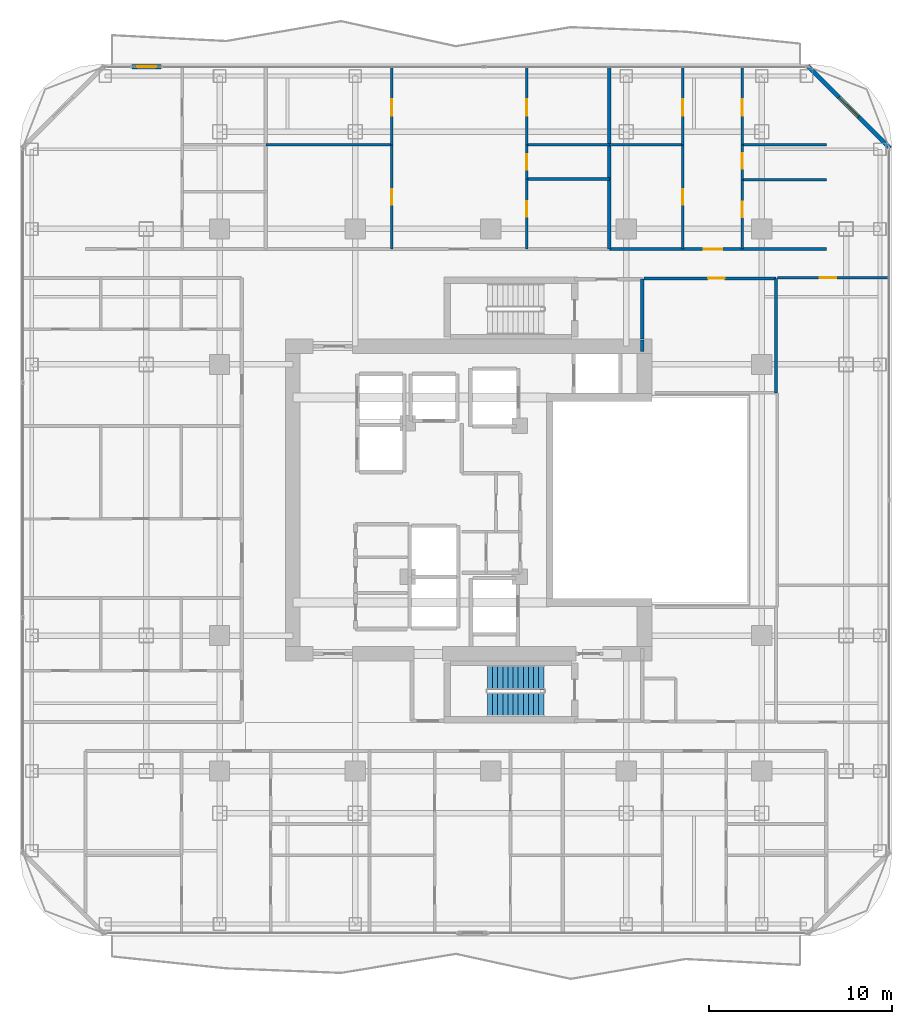
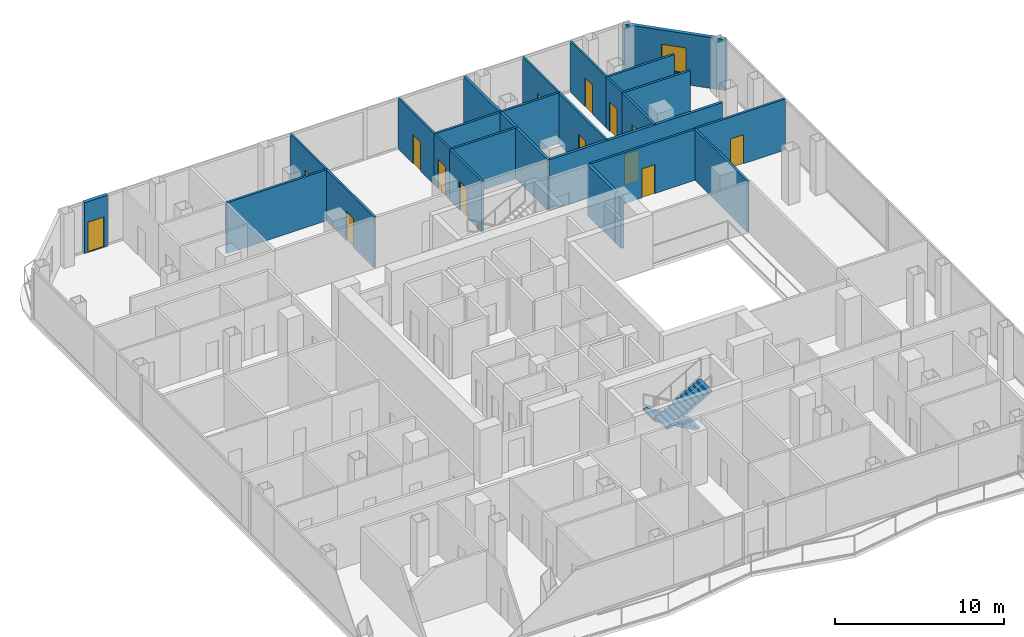
# One storey, part 23 of 27: 25 walls, 14 doors, 2 stair flights, 1 window, 15 openings, 1 element without a shape of its own.
"""IFC4 building model written with IfcOpenShell, lengths in metres."""

from ifc_helpers import new_model, si_unit, direction, frame, frame_2d, origin, place, context, subcontext, project, spatial, polyline, rectangle, outline, extrude, material, layer, layer_set, type_object, element, fill, aggregate, save


model = new_model("IFC4")

# Units and contexts
model_context = context("Model", 3, precision=1e-05, world=origin(), true_north=direction((0.0, 1.0)))
body_context = subcontext(model_context, "Body", "Model", "MODEL_VIEW")
ifc_project = project(units=[si_unit("LENGTHUNIT", "METRE"), si_unit("AREAUNIT", "SQUARE_METRE"), si_unit("VOLUMEUNIT", "CUBIC_METRE"), si_unit("PLANEANGLEUNIT", "RADIAN"), si_unit("MASSUNIT", "GRAM", prefix="KILO")], contexts=[model_context])

# Site, building, storey
site_placement = place(None, origin())
site = spatial("IfcSite", under=ifc_project, at=site_placement, CompositionType="ELEMENT")
building_placement = place(site_placement, origin())
building = spatial("IfcBuilding", under=site, at=building_placement, Name="Khorvyn Point Tower", CompositionType="ELEMENT")
storey_placement = place(building_placement, frame((0.0, 0.0, 179.699951171875)))
storey = spatial("IfcBuildingStorey", under=building, at=storey_placement, Name="L44", CompositionType="ELEMENT", Elevation=179.699951171875)

# Wall, opening, door
ifc_material_1 = material(Name="Double acoustic gypsum on twin steel stud", Category="steel")
ifc_layer_1 = layer(ifc_material_1, 0.179931640625)
ifc_layer_set_1 = layer_set([ifc_layer_1], Name="Acoustic Double-Stud Apartment Demising Wall 180")
wall_type_1 = type_object("IfcWallType", Name="Acoustic Double-Stud Apartment Demising Wall 180", PredefinedType="PARTITIONING", material=ifc_layer_set_1)
wall_1_placement = place(storey_placement, frame((6.47802734375, 13.699951171875, 0.0), z_axis=(0.0, 0.0, 1.0), x_axis=(1.0, 0.0, 0.0)))
wall_1 = element("IfcWall", 1, at=wall_1_placement, inside=storey, type_object=wall_type_1, Name="Wall", PredefinedType="PARTITIONING", context=body_context, shape_type="SweptSolid", body=[
    extrude(rectangle(XDim=11.842041015625, YDim=0.179931640625, at=frame_2d((5.9208984375, 0.0))), origin(), (0.0, 0.0, 1.0), 3.679931640625),
])
opening_1_placement = place(wall_1_placement, frame((5.153564453125, 0.0, 0.0)))
opening_1 = element("IfcOpeningElement", 2, at=opening_1_placement, cuts=wall_1, Name="Opening ID-AP60", PredefinedType="OPENING", context=body_context, shape_type="SweptSolid", body=[
    extrude(rectangle(XDim=1.0, YDim=2.199951171875, at=frame_2d((0.5, 1.10009765625))), frame((0.0, 0.099853515625, 0.0), z_axis=(0.0, -1.0, 0.0), x_axis=(1.0, 0.0, 0.0)), (0.0, 0.0, 1.0), 0.199951171875),
])
ifc_material_2 = material(Name="Engineered hardwood fire-rated leaf", Category="wood")
door_type_1 = type_object("IfcDoorType", Name="Acoustic Solid-Core Timber Apartment Entrance Door 1000x2200", OperationType="NOTDEFINED", PredefinedType="DOOR", material=ifc_material_2)
door_1_placement = place(opening_1_placement, origin())
door_1 = element("IfcDoor", 3, at=door_1_placement, inside=storey, type_object=door_type_1, Name="Door", OperationType="SINGLE_SWING_RIGHT", OverallHeight=2.199951171875, OverallWidth=1.0, PredefinedType="DOOR", context=body_context, shape_type="SweptSolid", body=[
    extrude(rectangle(XDim=1.0, YDim=2.199951171875, at=frame_2d((0.5, 1.10009765625))), frame((0.0, 0.02490234375, 0.0), z_axis=(0.0, -1.0, 0.0), x_axis=(1.0, 0.0, 0.0)), (0.0, 0.0, 1.0), 0.050048828125),
])
fill(opening_1, door_1)

# Wall
wall_2_placement = place(storey_placement, frame((6.47802734375, 13.699951171875, 0.0), z_axis=(0.0, 0.0, 1.0), x_axis=(0.0, 1.0, 0.0)))
element("IfcWall", 4, at=wall_2_placement, inside=storey, type_object=wall_type_1, Name="Wall", PredefinedType="PARTITIONING", context=body_context, shape_type="SweptSolid", body=[
    extrude(rectangle(XDim=9.929931640625, YDim=0.179931640625, at=frame_2d((4.96484375, 0.0))), origin(), (0.0, 0.0, 1.0), 3.679931640625),
])

# Wall, opening, door
ifc_material_3 = material(Name="Pale anodised aluminium rainscreen on steel stud", Category="steel")
ifc_layer_2 = layer(ifc_material_3, 0.239990234375)
ifc_layer_set_2 = layer_set([ifc_layer_2], Name="Anodised Aluminium Insulated Corner Spandrel Wall 240")
wall_type_2 = type_object("IfcWallType", Name="Anodised Aluminium Insulated Corner Spandrel Wall 240", PredefinedType="SOLIDWALL", material=ifc_layer_set_2)
wall_3_placement = place(storey_placement, frame((-19.577880859375, 23.64990234375, 0.0), z_axis=(0.0, 0.0, 1.0), x_axis=(1.0, 0.0, 0.0)))
wall_3 = element("IfcWall", 5, at=wall_3_placement, inside=storey, type_object=wall_type_2, Name="L44 North Outdoor Threshold Wall", PredefinedType="SOLIDWALL", context=body_context, shape_type="SweptSolid", body=[
    extrude(rectangle(XDim=1.579833984375, YDim=0.239990234375, at=frame_2d((0.7900390625, 0.0))), origin(), (0.0, 0.0, 1.0), 3.679931640625),
])
opening_2_placement = place(wall_3_placement, frame((0.239990234375, 0.0, 0.0)))
opening_2 = element("IfcOpeningElement", 6, at=opening_2_placement, cuts=wall_3, Name="Opening BD-1122", PredefinedType="OPENING", context=body_context, shape_type="SweptSolid", body=[
    extrude(rectangle(XDim=1.10009765625, YDim=2.199951171875, at=frame_2d((0.550048828125, 1.10009765625))), frame((0.0, 0.1298828125, 0.0), z_axis=(0.0, -1.0, 0.0), x_axis=(1.0, 0.0, 0.0)), (0.0, 0.0, 1.0), 0.260009765625),
])
ifc_material_4 = material(Name="Anodised aluminium 6063-T6 and laminated Low-E glass", Category="aluminium")
door_type_2 = type_object("IfcDoorType", Name="Glazed Balcony and Terrace Threshold Door 1100x2200", OperationType="NOTDEFINED", PredefinedType="DOOR", material=ifc_material_4)
door_2_placement = place(opening_2_placement, origin())
door_2 = element("IfcDoor", 7, at=door_2_placement, inside=storey, type_object=door_type_2, Name="L44 North Glazed Balcony Outdoor Door", OperationType="SINGLE_SWING_RIGHT", OverallHeight=2.199951171875, OverallWidth=1.10009765625, PredefinedType="DOOR", context=body_context, shape_type="SweptSolid", body=[
    extrude(rectangle(XDim=1.10009765625, YDim=2.199951171875, at=frame_2d((0.550048828125, 1.10009765625))), frame((0.0, 0.02490234375, 0.0), z_axis=(0.0, -1.0, 0.0), x_axis=(1.0, 0.0, 0.0)), (0.0, 0.0, 1.0), 0.050048828125),
])
fill(opening_2, door_2)

# Wall, opening, window
wall_4_placement = place(storey_placement, frame((17.3076171875, 23.6923828125, 0.0), z_axis=(0.0, 0.0, 1.0), x_axis=(0.707106781187, -0.707106781187, 0.0)))
wall_4 = element("IfcWall", 8, at=wall_4_placement, inside=storey, type_object=wall_type_2, Name="L44 Rounded Corner Wall NE", PredefinedType="SOLIDWALL", context=body_context, shape_type="SweptSolid", body=[
    extrude(rectangle(XDim=6.342529296875, YDim=0.239990234375, at=frame_2d((3.17138671875, 0.0))), origin(), (0.0, 0.0, 1.0), 3.679931640625),
])
opening_3_placement = place(wall_4_placement, frame((2.42138671875, 0.0, 0.800048828125)))
opening_3 = element("IfcOpeningElement", 9, at=opening_3_placement, cuts=wall_4, Name="Opening WN-1518", PredefinedType="OPENING", context=body_context, shape_type="SweptSolid", body=[
    extrude(rectangle(XDim=1.5, YDim=1.85009765625, at=frame_2d((0.75, 0.925048828125))), frame((0.0, 0.1298828125, 0.0), z_axis=(0.0, -1.0, 0.0), x_axis=(1.0, 0.0, 0.0)), (0.0, 0.0, 1.0), 0.260009765625),
])
window_type = type_object("IfcWindowType", Name="Anodised Aluminium Rounded-Corner Panoramic Window 1500x1850", PartitioningType="SINGLE_PANEL", PredefinedType="WINDOW", material=ifc_material_4)
window_placement = place(opening_3_placement, origin())
window = element("IfcWindow", 10, at=window_placement, inside=storey, type_object=window_type, Name="L44 Corner Panoramic Window NE", OverallHeight=1.85009765625, OverallWidth=1.5, PartitioningType="SINGLE_PANEL", PredefinedType="WINDOW", context=body_context, shape_type="SweptSolid", body=[
    extrude(rectangle(XDim=1.5, YDim=1.85009765625, at=frame_2d((0.75, 0.925048828125))), frame((0.0, 0.030029296875, 0.0), z_axis=(0.0, -1.0, 0.0), x_axis=(1.0, 0.0, 0.0)), (0.0, 0.0, 1.0), 0.06005859375),
])
fill(opening_3, window)

# Walls
ifc_material_5 = material(Name="Concrete C40/50", Category="concrete")
ifc_layer_3 = layer(ifc_material_5, 0.199951171875)
ifc_layer_set_3 = layer_set([ifc_layer_3], Name="Concrete C40/50 Fire-Lobby Compartment Wall 200")
wall_type_3 = type_object("IfcWallType", Name="Concrete C40/50 Fire-Lobby Compartment Wall 200", PredefinedType="SOLIDWALL", material=ifc_layer_set_3)
wall_5_placement = place(storey_placement, frame((8.280029296875, 8.800048828125, 0.0), z_axis=(0.0, 0.0, 1.0), x_axis=(0.0, 1.0, 0.0)))
element("IfcWall", 11, at=wall_5_placement, inside=storey, type_object=wall_type_3, Name="Wall", PredefinedType="SOLIDWALL", context=body_context, shape_type="SweptSolid", body=[
    extrude(rectangle(XDim=3.260009765625, YDim=0.199951171875, at=frame_2d((1.6298828125, 0.0))), origin(), (0.0, 0.0, 1.0), 3.679931640625),
])
wall_6_placement = place(storey_placement, frame((8.280029296875, 8.10009765625, 0.0), z_axis=(0.0, 0.0, 1.0), x_axis=(0.0, 1.0, 0.0)))
element("IfcWall", 12, at=wall_6_placement, inside=storey, type_object=wall_type_3, Name="Wall", PredefinedType="SOLIDWALL", context=body_context, shape_type="SweptSolid", body=[
    extrude(rectangle(XDim=0.625, YDim=0.199951171875, at=frame_2d((0.3125, 0.0))), origin(), (0.0, 0.0, 1.0), 3.679931640625),
])

# Wall, opening, door
ifc_material_6 = material(Name="Gypsum plasterboard on steel stud", Category="steel")
ifc_layer_4 = layer(ifc_material_6, 0.1201171875)
ifc_layer_set_4 = layer_set([ifc_layer_4], Name="Gypsum Acoustic Stud Room Partition Wall 120")
wall_type_4 = type_object("IfcWallType", Name="Gypsum Acoustic Stud Room Partition Wall 120", PredefinedType="PARTITIONING", material=ifc_layer_set_4)
wall_7_placement = place(storey_placement, frame((-5.407958984375, 19.389892578125, 0.0), z_axis=(0.0, 0.0, 1.0), x_axis=(0.0, 1.0, 0.0)))
wall_7 = element("IfcWall", 13, at=wall_7_placement, inside=storey, type_object=wall_type_4, Name="Wall", PredefinedType="PARTITIONING", context=body_context, shape_type="SweptSolid", body=[
    extrude(rectangle(XDim=4.239990234375, YDim=0.1201171875, at=frame_2d((2.1201171875, 0.0))), origin(), (0.0, 0.0, 1.0), 3.679931640625),
])
opening_4_placement = place(wall_7_placement, frame((1.581298828125, 0.0, 0.0)))
opening_4 = element("IfcOpeningElement", 14, at=opening_4_placement, cuts=wall_7, Name="Opening ID-RM90", PredefinedType="OPENING", context=body_context, shape_type="SweptSolid", body=[
    extrude(rectangle(XDim=0.89990234375, YDim=2.10009765625, at=frame_2d((0.449951171875, 1.050048828125))), frame((0.0, 0.070068359375, 0.0), z_axis=(0.0, -1.0, 0.0), x_axis=(1.0, 0.0, 0.0)), (0.0, 0.0, 1.0), 0.14013671875),
])
ifc_material_7 = material(Name="Engineered oak veneer timber", Category="wood")
door_type_3 = type_object("IfcDoorType", Name="Flush Engineered Timber Room Door 900x2100", OperationType="NOTDEFINED", PredefinedType="DOOR", material=ifc_material_7)
door_3_placement = place(opening_4_placement, origin())
door_3 = element("IfcDoor", 15, at=door_3_placement, inside=storey, type_object=door_type_3, Name="Door", OperationType="SINGLE_SWING_RIGHT", OverallHeight=2.10009765625, OverallWidth=0.89990234375, PredefinedType="DOOR", context=body_context, shape_type="SweptSolid", body=[
    extrude(rectangle(XDim=0.89990234375, YDim=2.10009765625, at=frame_2d((0.449951171875, 1.050048828125))), frame((0.0, 0.02490234375, 0.0), z_axis=(0.0, -1.0, 0.0), x_axis=(1.0, 0.0, 0.0)), (0.0, 0.0, 1.0), 0.050048828125),
])
fill(opening_4, door_3)

wall_8_placement = place(storey_placement, frame((1.971923828125, 17.52392578125, 0.0), z_axis=(0.0, 0.0, 1.0), x_axis=(0.0, 1.0, 0.0)))
wall_8 = element("IfcWall", 16, at=wall_8_placement, inside=storey, type_object=wall_type_4, Name="Wall", PredefinedType="PARTITIONING", context=body_context, shape_type="SweptSolid", body=[
    extrude(rectangle(XDim=1.865966796875, YDim=0.1201171875, at=frame_2d((0.93310546875, 0.0))), origin(), (0.0, 0.0, 1.0), 3.679931640625),
])
opening_5_placement = place(wall_8_placement, frame((0.508056640625, 0.0, 0.0)))
opening_5 = element("IfcOpeningElement", 17, at=opening_5_placement, cuts=wall_8, Name="Opening ID-WC85", PredefinedType="OPENING", context=body_context, shape_type="SweptSolid", body=[
    extrude(rectangle(XDim=0.85009765625, YDim=2.10009765625, at=frame_2d((0.425048828125, 1.050048828125))), frame((0.0, 0.070068359375, 0.0), z_axis=(0.0, -1.0, 0.0), x_axis=(1.0, 0.0, 0.0)), (0.0, 0.0, 1.0), 0.14013671875),
])
ifc_material_8 = material(Name="High-pressure laminate on moisture-resistant core", Category="wood")
door_type_4 = type_object("IfcDoorType", Name="Moisture-Resistant Accessible Washroom Door 850x2100", OperationType="NOTDEFINED", PredefinedType="DOOR", material=ifc_material_8)
door_4_placement = place(opening_5_placement, origin())
door_4 = element("IfcDoor", 18, at=door_4_placement, inside=storey, type_object=door_type_4, Name="Door", OperationType="SINGLE_SWING_RIGHT", OverallHeight=2.10009765625, OverallWidth=0.85009765625, PredefinedType="DOOR", context=body_context, shape_type="SweptSolid", body=[
    extrude(rectangle(XDim=0.85009765625, YDim=2.10009765625, at=frame_2d((0.425048828125, 1.050048828125))), frame((0.0, 0.02490234375, 0.0), z_axis=(0.0, -1.0, 0.0), x_axis=(1.0, 0.0, 0.0)), (0.0, 0.0, 1.0), 0.050048828125),
])
fill(opening_5, door_4)

wall_9_placement = place(storey_placement, frame((1.971923828125, 19.389892578125, 0.0), z_axis=(0.0, 0.0, 1.0), x_axis=(0.0, 1.0, 0.0)))
wall_9 = element("IfcWall", 19, at=wall_9_placement, inside=storey, type_object=wall_type_4, Name="Wall", PredefinedType="PARTITIONING", context=body_context, shape_type="SweptSolid", body=[
    extrude(rectangle(XDim=4.239990234375, YDim=0.1201171875, at=frame_2d((2.1201171875, 0.0))), origin(), (0.0, 0.0, 1.0), 3.679931640625),
])
opening_6_placement = place(wall_9_placement, frame((1.581298828125, 0.0, 0.0)))
opening_6 = element("IfcOpeningElement", 20, at=opening_6_placement, cuts=wall_9, Name="Opening ID-RM90", PredefinedType="OPENING", context=body_context, shape_type="SweptSolid", body=[
    extrude(rectangle(XDim=0.89990234375, YDim=2.10009765625, at=frame_2d((0.449951171875, 1.050048828125))), frame((0.0, 0.070068359375, 0.0), z_axis=(0.0, -1.0, 0.0), x_axis=(1.0, 0.0, 0.0)), (0.0, 0.0, 1.0), 0.14013671875),
])
door_5_placement = place(opening_6_placement, origin())
door_5 = element("IfcDoor", 21, at=door_5_placement, inside=storey, type_object=door_type_3, Name="Door", OperationType="SINGLE_SWING_LEFT", OverallHeight=2.10009765625, OverallWidth=0.89990234375, PredefinedType="DOOR", context=body_context, shape_type="SweptSolid", body=[
    extrude(rectangle(XDim=0.89990234375, YDim=2.10009765625, at=frame_2d((0.449951171875, 1.050048828125))), frame((0.0, 0.02490234375, 0.0), z_axis=(0.0, -1.0, 0.0), x_axis=(1.0, 0.0, 0.0)), (0.0, 0.0, 1.0), 0.050048828125),
])
fill(opening_6, door_5)

wall_10_placement = place(storey_placement, frame((10.48095703125, 19.389892578125, 0.0), z_axis=(0.0, 0.0, 1.0), x_axis=(0.0, 1.0, 0.0)))
wall_10 = element("IfcWall", 22, at=wall_10_placement, inside=storey, type_object=wall_type_4, Name="Wall", PredefinedType="PARTITIONING", context=body_context, shape_type="SweptSolid", body=[
    extrude(rectangle(XDim=4.239990234375, YDim=0.1201171875, at=frame_2d((2.1201171875, 0.0))), origin(), (0.0, 0.0, 1.0), 3.679931640625),
])
opening_7_placement = place(wall_10_placement, frame((1.581298828125, 0.0, 0.0)))
opening_7 = element("IfcOpeningElement", 23, at=opening_7_placement, cuts=wall_10, Name="Opening ID-RM90", PredefinedType="OPENING", context=body_context, shape_type="SweptSolid", body=[
    extrude(rectangle(XDim=0.89990234375, YDim=2.10009765625, at=frame_2d((0.449951171875, 1.050048828125))), frame((0.0, 0.070068359375, 0.0), z_axis=(0.0, -1.0, 0.0), x_axis=(1.0, 0.0, 0.0)), (0.0, 0.0, 1.0), 0.14013671875),
])
door_6_placement = place(opening_7_placement, origin())
door_6 = element("IfcDoor", 24, at=door_6_placement, inside=storey, type_object=door_type_3, Name="Door", OperationType="SINGLE_SWING_RIGHT", OverallHeight=2.10009765625, OverallWidth=0.89990234375, PredefinedType="DOOR", context=body_context, shape_type="SweptSolid", body=[
    extrude(rectangle(XDim=0.89990234375, YDim=2.10009765625, at=frame_2d((0.449951171875, 1.050048828125))), frame((0.0, 0.02490234375, 0.0), z_axis=(0.0, -1.0, 0.0), x_axis=(1.0, 0.0, 0.0)), (0.0, 0.0, 1.0), 0.050048828125),
])
fill(opening_7, door_6)

wall_11_placement = place(storey_placement, frame((13.73095703125, 17.48388671875, 0.0), z_axis=(0.0, 0.0, 1.0), x_axis=(0.0, 1.0, 0.0)))
wall_11 = element("IfcWall", 25, at=wall_11_placement, inside=storey, type_object=wall_type_4, Name="Wall", PredefinedType="PARTITIONING", context=body_context, shape_type="SweptSolid", body=[
    extrude(rectangle(XDim=1.906005859375, YDim=0.1201171875, at=frame_2d((0.953125, 0.0))), origin(), (0.0, 0.0, 1.0), 3.679931640625),
])
opening_8_placement = place(wall_11_placement, frame((0.6015625, 0.0, 0.0)))
opening_8 = element("IfcOpeningElement", 26, at=opening_8_placement, cuts=wall_11, Name="Opening ID-WC85", PredefinedType="OPENING", context=body_context, shape_type="SweptSolid", body=[
    extrude(rectangle(XDim=0.85009765625, YDim=2.10009765625, at=frame_2d((0.425048828125, 1.050048828125))), frame((0.0, 0.070068359375, 0.0), z_axis=(0.0, -1.0, 0.0), x_axis=(1.0, 0.0, 0.0)), (0.0, 0.0, 1.0), 0.14013671875),
])
door_7_placement = place(opening_8_placement, origin())
door_7 = element("IfcDoor", 27, at=door_7_placement, inside=storey, type_object=door_type_4, Name="Door", OperationType="SINGLE_SWING_RIGHT", OverallHeight=2.10009765625, OverallWidth=0.85009765625, PredefinedType="DOOR", context=body_context, shape_type="SweptSolid", body=[
    extrude(rectangle(XDim=0.85009765625, YDim=2.10009765625, at=frame_2d((0.425048828125, 1.050048828125))), frame((0.0, 0.02490234375, 0.0), z_axis=(0.0, -1.0, 0.0), x_axis=(1.0, 0.0, 0.0)), (0.0, 0.0, 1.0), 0.050048828125),
])
fill(opening_8, door_7)

wall_12_placement = place(storey_placement, frame((13.73095703125, 19.389892578125, 0.0), z_axis=(0.0, 0.0, 1.0), x_axis=(0.0, 1.0, 0.0)))
wall_12 = element("IfcWall", 28, at=wall_12_placement, inside=storey, type_object=wall_type_4, Name="Wall", PredefinedType="PARTITIONING", context=body_context, shape_type="SweptSolid", body=[
    extrude(rectangle(XDim=4.239990234375, YDim=0.1201171875, at=frame_2d((2.1201171875, 0.0))), origin(), (0.0, 0.0, 1.0), 3.679931640625),
])
opening_9_placement = place(wall_12_placement, frame((1.581298828125, 0.0, 0.0)))
opening_9 = element("IfcOpeningElement", 29, at=opening_9_placement, cuts=wall_12, Name="Opening ID-RM90", PredefinedType="OPENING", context=body_context, shape_type="SweptSolid", body=[
    extrude(rectangle(XDim=0.89990234375, YDim=2.10009765625, at=frame_2d((0.449951171875, 1.050048828125))), frame((0.0, 0.070068359375, 0.0), z_axis=(0.0, -1.0, 0.0), x_axis=(1.0, 0.0, 0.0)), (0.0, 0.0, 1.0), 0.14013671875),
])
door_8_placement = place(opening_9_placement, origin())
door_8 = element("IfcDoor", 30, at=door_8_placement, inside=storey, type_object=door_type_3, Name="Door", OperationType="SINGLE_SWING_LEFT", OverallHeight=2.10009765625, OverallWidth=0.89990234375, PredefinedType="DOOR", context=body_context, shape_type="SweptSolid", body=[
    extrude(rectangle(XDim=0.89990234375, YDim=2.10009765625, at=frame_2d((0.449951171875, 1.050048828125))), frame((0.0, 0.02490234375, 0.0), z_axis=(0.0, -1.0, 0.0), x_axis=(1.0, 0.0, 0.0)), (0.0, 0.0, 1.0), 0.050048828125),
])
fill(opening_9, door_8)

ifc_material_9 = material(Name="Moisture-resistant gypsum and cement board", Category="gypsum")
ifc_layer_5 = layer(ifc_material_9, 0.14990234375)
ifc_layer_set_5 = layer_set([ifc_layer_5], Name="Moisture-Resistant Wet-Room Partition Wall 150")
wall_type_5 = type_object("IfcWallType", Name="Moisture-Resistant Wet-Room Partition Wall 150", PredefinedType="PARTITIONING", material=ifc_layer_set_5)
wall_13_placement = place(storey_placement, frame((8.360107421875, 12.10009765625, 0.0), z_axis=(0.0, 0.0, 1.0), x_axis=(1.0, 0.0, 0.0)))
wall_13 = element("IfcWall", 31, at=wall_13_placement, inside=storey, type_object=wall_type_5, Name="Wall", PredefinedType="PARTITIONING", context=body_context, shape_type="SweptSolid", body=[
    extrude(rectangle(XDim=7.219970703125, YDim=0.14990234375, at=frame_2d((3.60986328125, 0.0))), origin(), (0.0, 0.0, 1.0), 3.679931640625),
])
opening_10_placement = place(wall_13_placement, frame((3.512939453125, 0.0, 0.0)))
opening_10 = element("IfcOpeningElement", 32, at=opening_10_placement, cuts=wall_13, Name="Opening ID-RM90", PredefinedType="OPENING", context=body_context, shape_type="SweptSolid", body=[
    extrude(rectangle(XDim=0.89990234375, YDim=2.10009765625, at=frame_2d((0.449951171875, 1.050048828125))), frame((0.0, 0.0849609375, 0.0), z_axis=(0.0, -1.0, 0.0), x_axis=(1.0, 0.0, 0.0)), (0.0, 0.0, 1.0), 0.169921875),
])
door_9_placement = place(opening_10_placement, origin())
door_9 = element("IfcDoor", 33, at=door_9_placement, inside=storey, type_object=door_type_3, Name="Door", OperationType="SINGLE_SWING_LEFT", OverallHeight=2.10009765625, OverallWidth=0.89990234375, PredefinedType="DOOR", context=body_context, shape_type="SweptSolid", body=[
    extrude(rectangle(XDim=0.89990234375, YDim=2.10009765625, at=frame_2d((0.449951171875, 1.050048828125))), frame((0.0, 0.02490234375, 0.0), z_axis=(0.0, -1.0, 0.0), x_axis=(1.0, 0.0, 0.0)), (0.0, 0.0, 1.0), 0.050048828125),
])
fill(opening_10, door_9)

wall_14_placement = place(storey_placement, frame((-5.407958984375, 13.699951171875, 0.0), z_axis=(0.0, 0.0, 1.0), x_axis=(0.0, 1.0, 0.0)))
wall_14 = element("IfcWall", 34, at=wall_14_placement, inside=storey, type_object=wall_type_5, Name="Wall", PredefinedType="PARTITIONING", context=body_context, shape_type="SweptSolid", body=[
    extrude(rectangle(XDim=5.68994140625, YDim=0.14990234375, at=frame_2d((2.844970703125, 0.0))), origin(), (0.0, 0.0, 1.0), 3.679931640625),
])
opening_11_placement = place(wall_14_placement, frame((2.419921875, 0.0, 0.0)))
opening_11 = element("IfcOpeningElement", 35, at=opening_11_placement, cuts=wall_14, Name="Opening ID-WC85", PredefinedType="OPENING", context=body_context, shape_type="SweptSolid", body=[
    extrude(rectangle(XDim=0.85009765625, YDim=2.10009765625, at=frame_2d((0.425048828125, 1.050048828125))), frame((0.0, 0.0849609375, 0.0), z_axis=(0.0, -1.0, 0.0), x_axis=(1.0, 0.0, 0.0)), (0.0, 0.0, 1.0), 0.169921875),
])
door_10_placement = place(opening_11_placement, origin())
door_10 = element("IfcDoor", 36, at=door_10_placement, inside=storey, type_object=door_type_4, Name="Door", OperationType="SINGLE_SWING_LEFT", OverallHeight=2.10009765625, OverallWidth=0.85009765625, PredefinedType="DOOR", context=body_context, shape_type="SweptSolid", body=[
    extrude(rectangle(XDim=0.85009765625, YDim=2.10009765625, at=frame_2d((0.425048828125, 1.050048828125))), frame((0.0, 0.02490234375, 0.0), z_axis=(0.0, -1.0, 0.0), x_axis=(1.0, 0.0, 0.0)), (0.0, 0.0, 1.0), 0.050048828125),
])
fill(opening_11, door_10)

wall_15_placement = place(storey_placement, frame((1.971923828125, 13.699951171875, 0.0), z_axis=(0.0, 0.0, 1.0), x_axis=(0.0, 1.0, 0.0)))
wall_15 = element("IfcWall", 37, at=wall_15_placement, inside=storey, type_object=wall_type_5, Name="Wall", PredefinedType="PARTITIONING", context=body_context, shape_type="SweptSolid", body=[
    extrude(rectangle(XDim=3.823974609375, YDim=0.14990234375, at=frame_2d((1.912109375, 0.0))), origin(), (0.0, 0.0, 1.0), 3.679931640625),
])
opening_12_placement = place(wall_15_placement, frame((1.75244140625, 0.0, 0.0)))
opening_12 = element("IfcOpeningElement", 38, at=opening_12_placement, cuts=wall_15, Name="Opening ID-WC85", PredefinedType="OPENING", context=body_context, shape_type="SweptSolid", body=[
    extrude(rectangle(XDim=0.85009765625, YDim=2.10009765625, at=frame_2d((0.425048828125, 1.050048828125))), frame((0.0, 0.0849609375, 0.0), z_axis=(0.0, -1.0, 0.0), x_axis=(1.0, 0.0, 0.0)), (0.0, 0.0, 1.0), 0.169921875),
])
door_11_placement = place(opening_12_placement, origin())
door_11 = element("IfcDoor", 39, at=door_11_placement, inside=storey, type_object=door_type_4, Name="Door", OperationType="SINGLE_SWING_LEFT", OverallHeight=2.10009765625, OverallWidth=0.85009765625, PredefinedType="DOOR", context=body_context, shape_type="SweptSolid", body=[
    extrude(rectangle(XDim=0.85009765625, YDim=2.10009765625, at=frame_2d((0.425048828125, 1.050048828125))), frame((0.0, 0.02490234375, 0.0), z_axis=(0.0, -1.0, 0.0), x_axis=(1.0, 0.0, 0.0)), (0.0, 0.0, 1.0), 0.050048828125),
])
fill(opening_12, door_11)

wall_16_placement = place(storey_placement, frame((10.48095703125, 13.699951171875, 0.0), z_axis=(0.0, 0.0, 1.0), x_axis=(0.0, 1.0, 0.0)))
wall_16 = element("IfcWall", 40, at=wall_16_placement, inside=storey, type_object=wall_type_5, Name="Wall", PredefinedType="PARTITIONING", context=body_context, shape_type="SweptSolid", body=[
    extrude(rectangle(XDim=5.68994140625, YDim=0.14990234375, at=frame_2d((2.844970703125, 0.0))), origin(), (0.0, 0.0, 1.0), 3.679931640625),
])
opening_13_placement = place(wall_16_placement, frame((2.419921875, 0.0, 0.0)))
opening_13 = element("IfcOpeningElement", 41, at=opening_13_placement, cuts=wall_16, Name="Opening ID-WC85", PredefinedType="OPENING", context=body_context, shape_type="SweptSolid", body=[
    extrude(rectangle(XDim=0.85009765625, YDim=2.10009765625, at=frame_2d((0.425048828125, 1.050048828125))), frame((0.0, 0.0849609375, 0.0), z_axis=(0.0, -1.0, 0.0), x_axis=(1.0, 0.0, 0.0)), (0.0, 0.0, 1.0), 0.169921875),
])
door_12_placement = place(opening_13_placement, origin())
door_12 = element("IfcDoor", 42, at=door_12_placement, inside=storey, type_object=door_type_4, Name="Door", OperationType="SINGLE_SWING_LEFT", OverallHeight=2.10009765625, OverallWidth=0.85009765625, PredefinedType="DOOR", context=body_context, shape_type="SweptSolid", body=[
    extrude(rectangle(XDim=0.85009765625, YDim=2.10009765625, at=frame_2d((0.425048828125, 1.050048828125))), frame((0.0, 0.02490234375, 0.0), z_axis=(0.0, -1.0, 0.0), x_axis=(1.0, 0.0, 0.0)), (0.0, 0.0, 1.0), 0.050048828125),
])
fill(opening_13, door_12)

wall_17_placement = place(storey_placement, frame((13.73095703125, 13.699951171875, 0.0), z_axis=(0.0, 0.0, 1.0), x_axis=(0.0, 1.0, 0.0)))
wall_17 = element("IfcWall", 43, at=wall_17_placement, inside=storey, type_object=wall_type_5, Name="Wall", PredefinedType="PARTITIONING", context=body_context, shape_type="SweptSolid", body=[
    extrude(rectangle(XDim=3.783935546875, YDim=0.14990234375, at=frame_2d((1.89208984375, 0.0))), origin(), (0.0, 0.0, 1.0), 3.679931640625),
])
opening_14_placement = place(wall_17_placement, frame((1.728515625, 0.0, 0.0)))
opening_14 = element("IfcOpeningElement", 44, at=opening_14_placement, cuts=wall_17, Name="Opening ID-WC85", PredefinedType="OPENING", context=body_context, shape_type="SweptSolid", body=[
    extrude(rectangle(XDim=0.85009765625, YDim=2.10009765625, at=frame_2d((0.425048828125, 1.050048828125))), frame((0.0, 0.0849609375, 0.0), z_axis=(0.0, -1.0, 0.0), x_axis=(1.0, 0.0, 0.0)), (0.0, 0.0, 1.0), 0.169921875),
])
door_13_placement = place(opening_14_placement, origin())
door_13 = element("IfcDoor", 45, at=door_13_placement, inside=storey, type_object=door_type_4, Name="Door", OperationType="SINGLE_SWING_LEFT", OverallHeight=2.10009765625, OverallWidth=0.85009765625, PredefinedType="DOOR", context=body_context, shape_type="SweptSolid", body=[
    extrude(rectangle(XDim=0.85009765625, YDim=2.10009765625, at=frame_2d((0.425048828125, 1.050048828125))), frame((0.0, 0.02490234375, 0.0), z_axis=(0.0, -1.0, 0.0), x_axis=(1.0, 0.0, 0.0)), (0.0, 0.0, 1.0), 0.050048828125),
])
fill(opening_14, door_13)

wall_18_placement = place(storey_placement, frame((15.64990234375, 12.139892578125, 0.0), z_axis=(0.0, 0.0, 1.0), x_axis=(1.0, 0.0, 0.0)))
wall_18 = element("IfcWall", 46, at=wall_18_placement, inside=storey, type_object=wall_type_5, Name="Wall", PredefinedType="PARTITIONING", context=body_context, shape_type="SweptSolid", body=[
    extrude(rectangle(XDim=6.070068359375, YDim=0.14990234375, at=frame_2d((3.03515625, 0.0))), origin(), (0.0, 0.0, 1.0), 3.679931640625),
])
opening_15_placement = place(wall_18_placement, frame((2.315673828125, 0.0, 0.0)))
opening_15 = element("IfcOpeningElement", 47, at=opening_15_placement, cuts=wall_18, Name="Opening ID-RM90", PredefinedType="OPENING", context=body_context, shape_type="SweptSolid", body=[
    extrude(rectangle(XDim=0.89990234375, YDim=2.10009765625, at=frame_2d((0.449951171875, 1.050048828125))), frame((0.0, 0.0849609375, 0.0), z_axis=(0.0, -1.0, 0.0), x_axis=(1.0, 0.0, 0.0)), (0.0, 0.0, 1.0), 0.169921875),
])
door_14_placement = place(opening_15_placement, origin())
door_14 = element("IfcDoor", 48, at=door_14_placement, inside=storey, type_object=door_type_3, Name="Door", OperationType="SINGLE_SWING_RIGHT", OverallHeight=2.10009765625, OverallWidth=0.89990234375, PredefinedType="DOOR", context=body_context, shape_type="SweptSolid", body=[
    extrude(rectangle(XDim=0.89990234375, YDim=2.10009765625, at=frame_2d((0.449951171875, 1.050048828125))), frame((0.0, 0.02490234375, 0.0), z_axis=(0.0, -1.0, 0.0), x_axis=(1.0, 0.0, 0.0)), (0.0, 0.0, 1.0), 0.050048828125),
])
fill(opening_15, door_14)

# Walls
wall_19_placement = place(storey_placement, frame((15.580078125, 5.85009765625, 0.0), z_axis=(0.0, 0.0, 1.0), x_axis=(0.0, 1.0, 0.0)))
element("IfcWall", 49, at=wall_19_placement, inside=storey, type_object=wall_type_5, Name="Wall", PredefinedType="PARTITIONING", context=body_context, shape_type="SweptSolid", body=[
    extrude(rectangle(XDim=6.25, YDim=0.14990234375, at=frame_2d((3.125, 0.0))), origin(), (0.0, 0.0, 1.0), 3.679931640625),
])
wall_20_placement = place(storey_placement, frame((-12.280029296875, 19.389892578125, 0.0), z_axis=(0.0, 0.0, 1.0), x_axis=(1.0, 0.0, 0.0)))
element("IfcWall", 50, at=wall_20_placement, inside=storey, type_object=wall_type_5, Name="Wall", PredefinedType="PARTITIONING", context=body_context, shape_type="SweptSolid", body=[
    extrude(rectangle(XDim=6.8720703125, YDim=0.14990234375, at=frame_2d((3.43603515625, 0.0))), origin(), (0.0, 0.0, 1.0), 3.679931640625),
])
for number, where, z_axis, x_axis, name in (
    (51, (1.971923828125, 17.52392578125, 0.0), (0.0, 0.0, 1.0), (1.0, 0.0, 0.0), "Wall"),
    (52, (1.971923828125, 19.389892578125, 0.0), (0.0, 0.0, 1.0), (1.0, 0.0, 0.0), "Wall"),
):
    element("IfcWall", number, at=place(storey_placement, frame(where, z_axis=z_axis, x_axis=x_axis)), inside=storey, type_object=wall_type_5, Name=name, PredefinedType="PARTITIONING", context=body_context, shape_type="SweptSolid", body=[
        extrude(rectangle(XDim=4.506103515625, YDim=0.14990234375, at=frame_2d((2.2529296875, 0.0))), origin(), (0.0, 0.0, 1.0), 3.679931640625),
    ])
wall_21_placement = place(storey_placement, frame((6.47802734375, 19.389892578125, 0.0), z_axis=(0.0, 0.0, 1.0), x_axis=(1.0, 0.0, 0.0)))
element("IfcWall", 53, at=wall_21_placement, inside=storey, type_object=wall_type_5, Name="Wall", PredefinedType="PARTITIONING", context=body_context, shape_type="SweptSolid", body=[
    extrude(rectangle(XDim=4.0029296875, YDim=0.14990234375, at=frame_2d((2.00146484375, 0.0))), origin(), (0.0, 0.0, 1.0), 3.679931640625),
])
for number, where, z_axis, x_axis, name in (
    (54, (13.73095703125, 17.48388671875, 0.0), (0.0, 0.0, 1.0), (1.0, 0.0, 0.0), "Wall"),
    (55, (13.73095703125, 19.389892578125, 0.0), (0.0, 0.0, 1.0), (1.0, 0.0, 0.0), "Wall"),
):
    element("IfcWall", number, at=place(storey_placement, frame(where, z_axis=z_axis, x_axis=x_axis)), inside=storey, type_object=wall_type_5, Name=name, PredefinedType="PARTITIONING", context=body_context, shape_type="SweptSolid", body=[
        extrude(rectangle(XDim=4.589111328125, YDim=0.14990234375, at=frame_2d((2.29443359375, 0.0))), origin(), (0.0, 0.0, 1.0), 3.679931640625),
    ])

# Stair, stair flights
stair_type = type_object("IfcStairType", Name="Tower Concrete C40/50 Dogleg Exit Stair", PredefinedType="HALF_TURN_STAIR", material=ifc_material_5)
stair_placement = place(storey_placement, origin())
stair = element("IfcStair", 56, at=stair_placement, inside=storey, type_object=stair_type, Name="L44 Tower Smokeproof Exit Stair South", PredefinedType="HALF_TURN_STAIR")
stair_flight_type = type_object("IfcStairFlightType", Name="Tower Concrete C40/50 Stair Flight", PredefinedType="STRAIGHT", material=ifc_material_5)
stair_flight_1_placement = place(storey_placement, frame((2.89990234375, -9.679931640625, 0.0), z_axis=(0.0, 0.0, 1.0), x_axis=(-1.0, 0.0, 0.0)))
stair_flight_1 = element("IfcStairFlight", 57, at=stair_flight_1_placement, type_object=stair_flight_type, Name="ST-01 flight 1", NumberOfRisers=12, NumberOfTreads=11, PredefinedType="STRAIGHT", RiserHeight=0.1625, TreadLength=0.28, context=body_context, shape_type="SweptSolid", body=[
    extrude(outline(polyline([(0.0, 0.0), (0.0, 0.16259765625), (0.280029296875, 0.16259765625), (0.280029296875, 0.324951171875), (0.56005859375, 0.324951171875), (0.56005859375, 0.487548828125), (0.840087890625, 0.487548828125), (0.840087890625, 0.64990234375), (1.1201171875, 0.64990234375), (1.1201171875, 0.8125), (1.39990234375, 0.8125), (1.39990234375, 0.97509765625), (1.679931640625, 0.97509765625), (1.679931640625, 1.137451171875), (1.9599609375, 1.137451171875), (1.9599609375, 1.300048828125), (2.239990234375, 1.300048828125), (2.239990234375, 1.46240234375), (2.52001953125, 1.46240234375), (2.52001953125, 1.625), (2.800048828125, 1.625), (2.800048828125, 1.78759765625), (3.080078125, 1.78759765625), (3.080078125, 1.949951171875), (3.080078125, 1.6142578125), (0.298583984375, 0.0), (0.0, 0.0)])), frame((0.0, 0.66015625, 0.0), z_axis=(0.0, -1.0, 0.0), x_axis=(1.0, 0.0, 0.0)), (0.0, 0.0, 1.0), 1.320068359375),
])
stair_flight_2_placement = place(storey_placement, frame((-0.179931640625, -11.159912109375, 1.949951171875), z_axis=(0.0, 0.0, 1.0), x_axis=(1.0, 0.0, 0.0)))
stair_flight_2 = element("IfcStairFlight", 58, at=stair_flight_2_placement, type_object=stair_flight_type, Name="ST-01 flight 2", NumberOfRisers=12, NumberOfTreads=11, PredefinedType="STRAIGHT", RiserHeight=0.1625, TreadLength=0.28, context=body_context, shape_type="SweptSolid", body=[
    extrude(outline(polyline([(0.0, 0.0), (0.0, 0.16259765625), (0.280029296875, 0.16259765625), (0.280029296875, 0.324951171875), (0.56005859375, 0.324951171875), (0.56005859375, 0.487548828125), (0.840087890625, 0.487548828125), (0.840087890625, 0.64990234375), (1.1201171875, 0.64990234375), (1.1201171875, 0.8125), (1.39990234375, 0.8125), (1.39990234375, 0.97509765625), (1.679931640625, 0.97509765625), (1.679931640625, 1.137451171875), (1.9599609375, 1.137451171875), (1.9599609375, 1.300048828125), (2.239990234375, 1.300048828125), (2.239990234375, 1.46240234375), (2.52001953125, 1.46240234375), (2.52001953125, 1.625), (2.800048828125, 1.625), (2.800048828125, 1.78759765625), (3.080078125, 1.78759765625), (3.080078125, 1.949951171875), (3.080078125, 1.6142578125), (0.298583984375, 0.0), (0.0, 0.0)])), frame((0.0, 0.66015625, 0.0), z_axis=(0.0, -1.0, 0.0), x_axis=(1.0, 0.0, 0.0)), (0.0, 0.0, 1.0), 1.320068359375),
])
aggregate(stair, [stair_flight_1, stair_flight_2])

save(model, "model.ifc")
